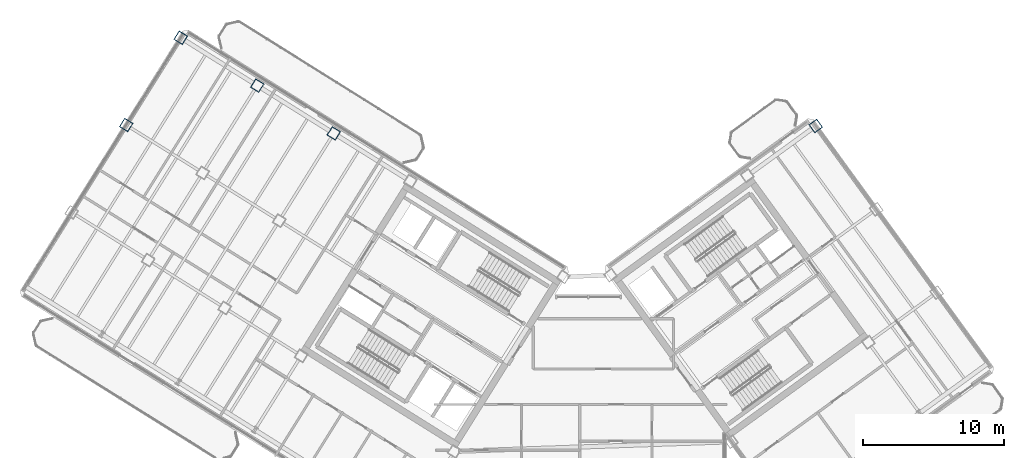
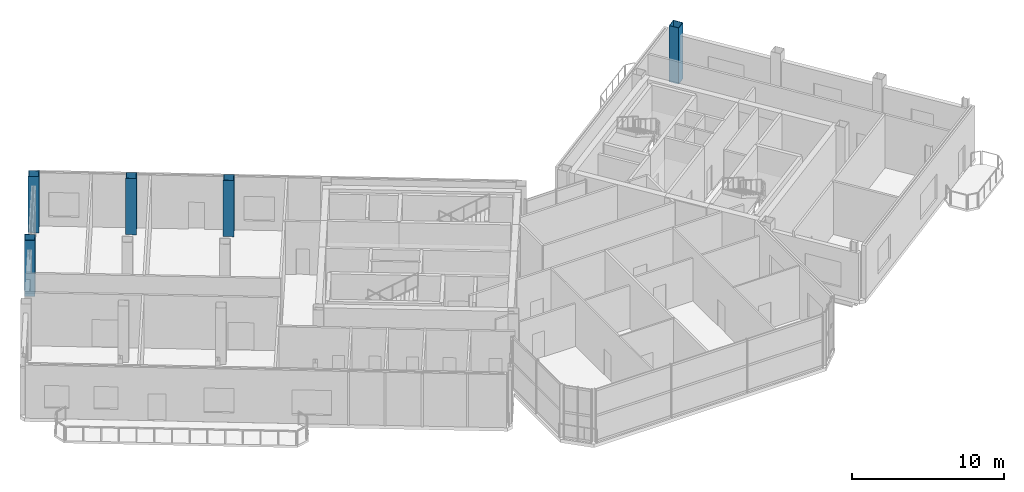
# One storey, part 3 of 27: 5 columns.
"""IFC4 building model written with IfcOpenShell, lengths in metres."""

from ifc_helpers import new_model, si_unit, direction, frame, origin, origin_2d, place, context, subcontext, project, spatial, hollow_rectangle, extrude, source, transform, mapped, material, material_profile, profile_set, type_object, element, save


model = new_model("IFC4")

# Units and contexts
model_context = context("Model", 3, precision=1e-05, world=origin(), true_north=direction((0.0, 1.0)))
body_context = subcontext(model_context, "Body", "Model", "MODEL_VIEW")
ifc_project = project(units=[si_unit("LENGTHUNIT", "METRE"), si_unit("AREAUNIT", "SQUARE_METRE"), si_unit("VOLUMEUNIT", "CUBIC_METRE"), si_unit("PLANEANGLEUNIT", "RADIAN"), si_unit("MASSUNIT", "GRAM", prefix="KILO")], contexts=[model_context])

# Site, building, storey
site_placement = place(None, origin())
site = spatial("IfcSite", under=ifc_project, at=site_placement, CompositionType="ELEMENT")
building_placement = place(site_placement, origin())
building = spatial("IfcBuilding", under=site, at=building_placement, Name="Tlacorven Tower", CompositionType="ELEMENT")
storey_placement = place(building_placement, frame((0.0, 0.0, 254.699951171875)))
storey = spatial("IfcBuildingStorey", under=building, at=storey_placement, Name="L64", CompositionType="ELEMENT", Elevation=254.699951171875)

# Columns
ifc_material = material(Name="Steel S460M", Category="steel")
ifc_material_profile = material_profile(ifc_material, hollow_rectangle(XDim=0.699951171875, YDim=0.699951171875, WallThickness=0.028076171875, at=origin_2d()), Name="BOX 700X700X28")
ifc_profile_set = profile_set([ifc_material_profile], Name="Steel S460M")
column_type = type_object("IfcColumnType", Name="COL-TWR-S4", PredefinedType="COLUMN", material=ifc_profile_set)
shared_shape = source(origin(), body_context, "Body", "SweptSolid", [
    extrude(hollow_rectangle(XDim=0.699951171875, YDim=0.699951171875, WallThickness=0.028076171875, at=origin_2d()), origin(), (0.0, 0.0, 1.0), 4.5),
])
for number, where, z_axis, x_axis, name in (
    (1, (24.50048828125, 34.642822265625, 0.0), (0.0, 0.0, 1.0), (-0.848048096156, 0.529919264233, 0.0), "L64 column COL-L64-W4-1"),
    (2, (19.072998046875, 38.034423828125, 0.0), (0.0, 0.0, 1.0), (-0.848048096156, 0.529919264233, 0.0), "L64 column COL-L64-W5-1"),
    (3, (13.6455078125, 41.42578125, 0.0), (0.0, 0.0, 1.0), (-0.848048096156, 0.529919264233, 0.0), "L64 column COL-L64-W6-1"),
    (4, (9.777099609375, 35.235107421875, 0.0), (0.0, 0.0, 1.0), (-0.848048096156, 0.529919264233, 0.0), "L64 column COL-L64-W6-2"),
    (5, (58.68603515625, 35.165283203125, 0.0), (0.0, 0.0, 1.0), (0.809016994375, 0.587785252292, 0.0), "L64 column COL-L64-E4-4"),
):
    element("IfcColumn", number, at=place(storey_placement, frame(where, z_axis=z_axis, x_axis=x_axis)), inside=storey, type_object=column_type, Name=name, PredefinedType="COLUMN", context=body_context, shape_type="MappedRepresentation", body=[
        mapped(shared_shape, transform((0.0, 0.0, 0.0), scale=1.0)),
    ])

save(model, "model.ifc")
